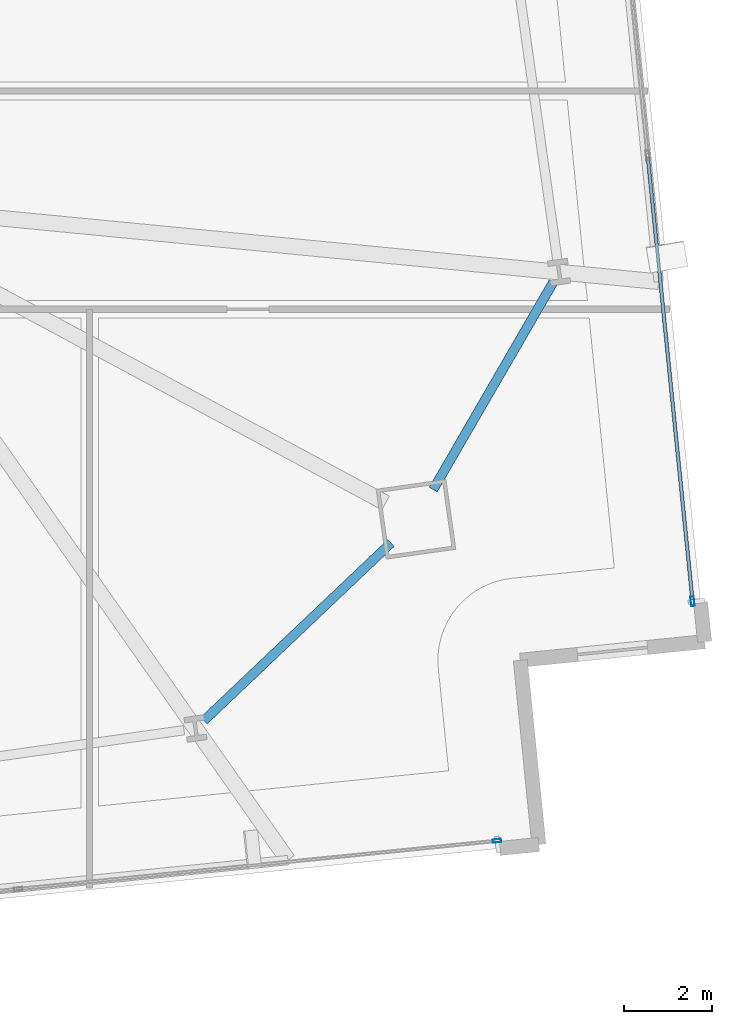
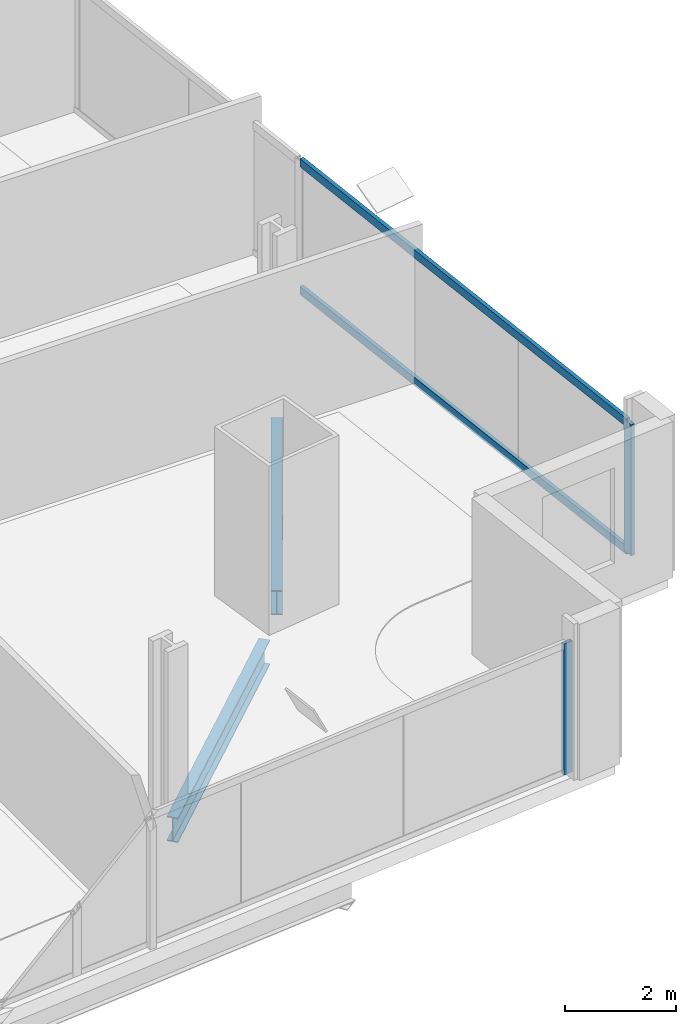
# One storey, part 11 of 33: 4 members, 2 beams, 2 elements without a shape of their own.
"""IFC4 building model written with IfcOpenShell, lengths in metres."""

from ifc_helpers import new_model, si_unit, direction, frame, origin, origin_2d, place, context, subcontext, project, spatial, hollow_rectangle, i_section, extrude, material, material_profile, profile_set, type_object, element, aggregate, save


model = new_model("IFC4")

# Units and contexts
model_context = context("Model", 3, precision=1e-05, world=origin(), true_north=direction((0.0, 1.0)))
body_context = subcontext(model_context, "Body", "Model", "MODEL_VIEW")
ifc_project = project(units=[si_unit("LENGTHUNIT", "METRE"), si_unit("AREAUNIT", "SQUARE_METRE"), si_unit("VOLUMEUNIT", "CUBIC_METRE"), si_unit("PLANEANGLEUNIT", "RADIAN"), si_unit("MASSUNIT", "GRAM", prefix="KILO")], contexts=[model_context])

# Site, building, storey
site_placement = place(None, origin())
site = spatial("IfcSite", under=ifc_project, at=site_placement, CompositionType="ELEMENT")
building_placement = place(site_placement, origin())
building = spatial("IfcBuilding", under=site, at=building_placement, Name="Haldenkirk Collegiate Tower", CompositionType="ELEMENT")
storey_placement = place(building_placement, frame((0.0, 0.0, 47.699951171875)))
storey = spatial("IfcBuildingStorey", under=building, at=storey_placement, Name="L10", CompositionType="ELEMENT", Elevation=47.699951171875)

# Beams
ifc_material_1 = material(Name="Steel ASTM A992 Grade 50", Category="steel")
ifc_material_profile_1 = material_profile(ifc_material_1, i_section(OverallWidth=0.2119140625, OverallDepth=0.5439453125, WebThickness=0.01318359375, FlangeThickness=0.021240234375, at=origin_2d()), Name="W21X83")
ifc_profile_set_1 = profile_set([ifc_material_profile_1], Name="Steel ASTM A992 Grade 50")
beam_type = type_object("IfcBeamType", Name="BM-SPANDREL-W21X83", PredefinedType="SPANDREL", material=ifc_profile_set_1)
beam_1_placement = place(storey_placement, frame((53.594482421875, 6.222412109375, -0.58203125), z_axis=(0.725113023209, 0.688629874151, 0.0), x_axis=(-0.688629874151, 0.725113023209, 0.0)))
element("IfcBeam", 1, at=beam_1_placement, inside=storey, type_object=beam_type, Name="L10 perimeter spandrel beam 04", PredefinedType="SPANDREL", context=body_context, shape_type="SweptSolid", body=[
    extrude(i_section(OverallWidth=0.2119140625, OverallDepth=0.5439453125, WebThickness=0.01318359375, FlangeThickness=0.021240234375, at=origin_2d()), origin(), (0.0, 0.0, 1.0), 5.8486328125),
])
beam_2_placement = place(storey_placement, frame((58.7919921875, 11.462158203125, -0.58203125), z_axis=(0.50120629055, 0.865327830543, 0.0), x_axis=(-0.865327830543, 0.50120629055, 0.0)))
element("IfcBeam", 2, at=beam_2_placement, inside=storey, type_object=beam_type, Name="L10 perimeter spandrel beam 05", PredefinedType="SPANDREL", context=body_context, shape_type="SweptSolid", body=[
    extrude(i_section(OverallWidth=0.2119140625, OverallDepth=0.5439453125, WebThickness=0.01318359375, FlangeThickness=0.021240234375, at=origin_2d()), origin(), (0.0, 0.0, 1.0), 5.43359375),
])

# Curtain wall, member
ifc_material_2 = material(Name="Anodised architectural bronze aluminium", Category="aluminium")
curtain_wall_type_1 = type_object("IfcCurtainWallType", Name="CW-SYS2-CONCAVE", PredefinedType="USERDEFINED", material=ifc_material_2)
curtain_wall_1_placement = place(storey_placement, origin())
curtain_wall_1 = element("IfcCurtainWall", 3, at=curtain_wall_1_placement, inside=storey, type_object=curtain_wall_type_1, Name="L10 South concave recessed bronze-anodised curtain wall", ObjectType="UNITISED CURTAIN WALL", PredefinedType="USERDEFINED")
ifc_material_profile_2 = material_profile(ifc_material_2, hollow_rectangle(XDim=0.074951171875, YDim=0.18994140625, WallThickness=0.0048828125, at=origin_2d()), Name="CW-MUL-02")
ifc_profile_set_2 = profile_set([ifc_material_profile_2], Name="Anodised architectural bronze aluminium")
member_type_1 = type_object("IfcMemberType", Name="CW-MUL-02", PredefinedType="MULLION", material=ifc_profile_set_2)
member_1_placement = place(storey_placement, frame((60.2392578125, 3.495361328125, 0.0), z_axis=(0.0, 0.0, 1.0), x_axis=(0.100187271136, -0.994968597847, 0.0)))
member_1 = element("IfcMember", 4, at=member_1_placement, type_object=member_type_1, Name="CW-02 mullion 1", PredefinedType="MULLION", context=body_context, shape_type="SweptSolid", body=[
    extrude(hollow_rectangle(XDim=0.074951171875, YDim=0.18994140625, WallThickness=0.0048828125, at=origin_2d()), origin(), (0.0, 0.0, 1.0), 2.89111328125),
])
aggregate(curtain_wall_1, [member_1])

# Curtain wall, members
curtain_wall_type_2 = type_object("IfcCurtainWallType", Name="CW-SYS1-CONVEX-LOW", PredefinedType="USERDEFINED", material=ifc_material_2)
curtain_wall_2_placement = place(storey_placement, origin())
curtain_wall_2 = element("IfcCurtainWall", 5, at=curtain_wall_2_placement, inside=storey, type_object=curtain_wall_type_2, Name="L10 Lower tower convex bronze-framed unitised curtain wall", ObjectType="UNITISED CURTAIN WALL", PredefinedType="USERDEFINED")
ifc_material_profile_3 = material_profile(ifc_material_2, hollow_rectangle(XDim=0.080078125, YDim=0.219970703125, WallThickness=0.0048828125, at=origin_2d()), Name="CW-MUL-1A")
ifc_profile_set_3 = profile_set([ifc_material_profile_3], Name="Anodised architectural bronze aluminium")
member_type_2 = type_object("IfcMemberType", Name="CW-MUL-1A", PredefinedType="MULLION", material=ifc_profile_set_3)
member_2_placement = place(storey_placement, frame((64.6748046875, 8.927001953125, 0.0), z_axis=(0.0, 0.0, 1.0), x_axis=(0.99496869257, 0.10018633043, 0.0)))
member_2 = element("IfcMember", 6, at=member_2_placement, type_object=member_type_2, Name="CW-1A mullion 5", PredefinedType="MULLION", context=body_context, shape_type="SweptSolid", body=[
    extrude(hollow_rectangle(XDim=0.080078125, YDim=0.219970703125, WallThickness=0.0048828125, at=origin_2d()), origin(), (0.0, 0.0, 1.0), 2.89111328125),
])
ifc_material_profile_4 = material_profile(ifc_material_2, hollow_rectangle(XDim=0.080078125, YDim=0.179931640625, WallThickness=0.0048828125, at=origin_2d()), Name="CW-TRN-1A")
ifc_profile_set_4 = profile_set([ifc_material_profile_4], Name="Anodised architectural bronze aluminium")
member_type_3 = type_object("IfcMemberType", Name="CW-TRN-1A", PredefinedType="USERDEFINED", material=ifc_profile_set_4)
member_3_placement = place(storey_placement, frame((63.660888671875, 18.99609375, 0.0400390625), z_axis=(0.100199127314, -0.994967403931, 0.0), x_axis=(0.994967403931, 0.100199127314, 0.0)))
member_3 = element("IfcMember", 7, at=member_3_placement, type_object=member_type_3, Name="CW-1A transom 4.1", ObjectType="TRANSOM", PredefinedType="USERDEFINED", context=body_context, shape_type="SweptSolid", body=[
    extrude(hollow_rectangle(XDim=0.080078125, YDim=0.179931640625, WallThickness=0.0048828125, at=origin_2d()), origin(), (0.0, 0.0, 1.0), 10.080078125),
])
member_4_placement = place(storey_placement, frame((63.660888671875, 18.99609375, 2.85107421875), z_axis=(0.100199127314, -0.994967403931, 0.0), x_axis=(0.994967403931, 0.100199127314, 0.0)))
member_4 = element("IfcMember", 8, at=member_4_placement, type_object=member_type_3, Name="CW-1A transom 4.2", ObjectType="TRANSOM", PredefinedType="USERDEFINED", context=body_context, shape_type="SweptSolid", body=[
    extrude(hollow_rectangle(XDim=0.080078125, YDim=0.179931640625, WallThickness=0.0048828125, at=origin_2d()), origin(), (0.0, 0.0, 1.0), 10.080078125),
])
aggregate(curtain_wall_2, [member_2, member_3, member_4])

save(model, "model.ifc")
